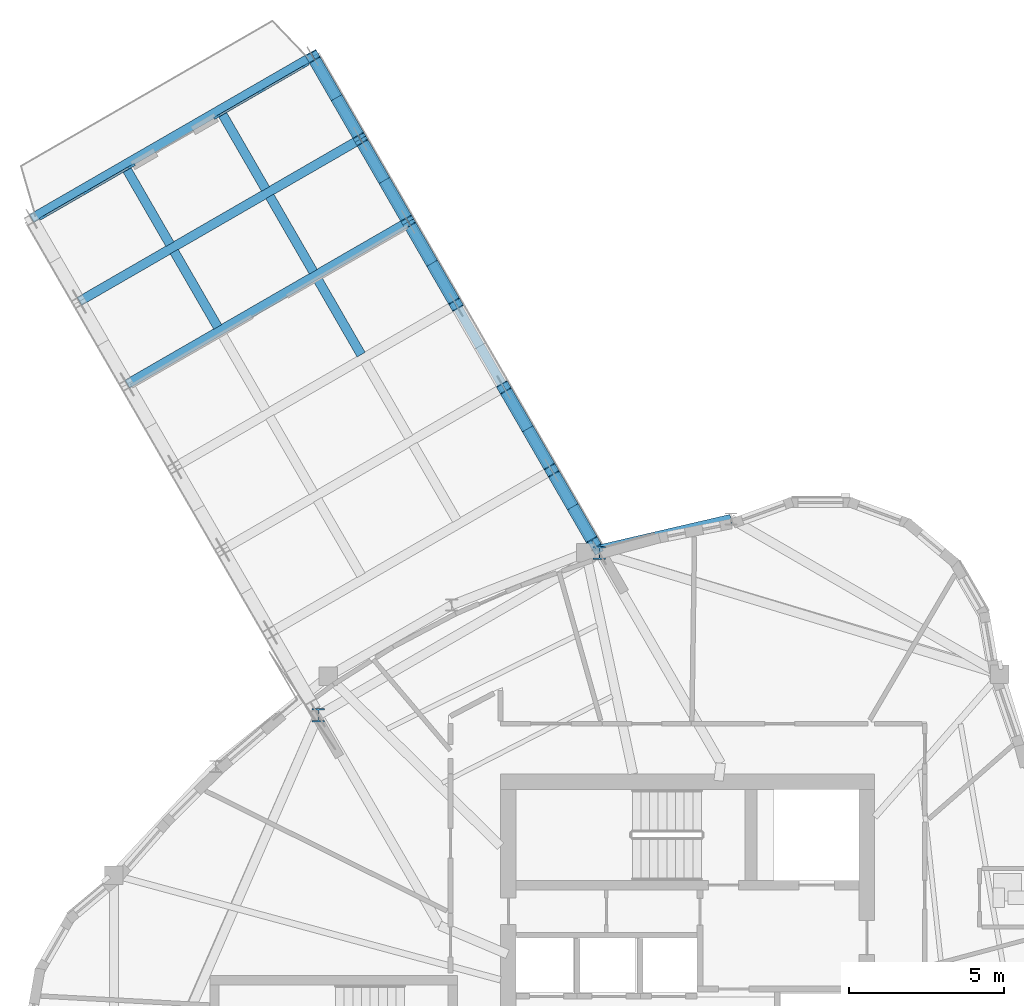
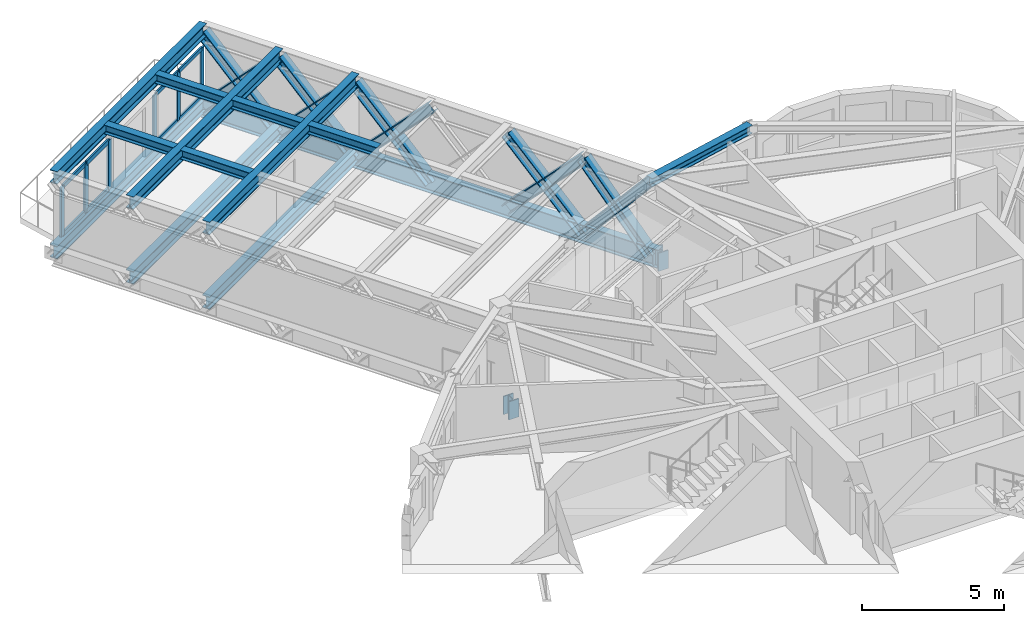
# One storey, part 3 of 14: 26 members, 13 beams, 2 elements without a shape of their own.
"""IFC4 building model written with IfcOpenShell, lengths in metres."""

from ifc_helpers import new_model, si_unit, direction, frame, origin, origin_2d, place, context, subcontext, project, spatial, rectangle, i_section, extrude, source, transform, mapped, material, layer, layer_set, material_profile, profile_set, type_object, element, aggregate, save


model = new_model("IFC4")

# Units and contexts
model_context = context("Model", 3, precision=1e-05, world=origin(), true_north=direction((0.0, 1.0)))
body_context = subcontext(model_context, "Body", "Model", "MODEL_VIEW")
ifc_project = project(units=[si_unit("LENGTHUNIT", "METRE"), si_unit("AREAUNIT", "SQUARE_METRE"), si_unit("VOLUMEUNIT", "CUBIC_METRE"), si_unit("PLANEANGLEUNIT", "RADIAN"), si_unit("MASSUNIT", "GRAM", prefix="KILO")], contexts=[model_context])

# Site, building, storey
site_placement = place(None, origin())
site = spatial("IfcSite", under=ifc_project, at=site_placement, CompositionType="ELEMENT")
building_placement = place(site_placement, origin())
building = spatial("IfcBuilding", under=site, at=building_placement, Name="Qafzar Sky-Pleat Residences", CompositionType="ELEMENT")
storey_placement = place(building_placement, frame((0.0, 0.0, 205.199951171875)))
storey = spatial("IfcBuildingStorey", under=building, at=storey_placement, Name="L61", CompositionType="ELEMENT", Elevation=205.199951171875)

# Members
ifc_material_1 = material(Name="Steel S460", Category="steel")
ifc_material_profile_1 = material_profile(ifc_material_1, i_section(OverallWidth=0.408935546875, OverallDepth=0.425048828125, WebThickness=0.030029296875, FlangeThickness=0.048095703125, FilletRadius=0.014892578125, at=origin_2d()), Name="HD 400x421")
ifc_profile_set_1 = profile_set([ifc_material_profile_1], Name="Steel S460")
member_type_1 = type_object("IfcMemberType", Name="MEM-SB-POST", PredefinedType="POST", material=ifc_profile_set_1)
shared_shape_1 = source(origin(), body_context, "Body", "SweptSolid", [
    extrude(i_section(OverallWidth=0.408935546875, OverallDepth=0.425048828125, WebThickness=0.030029296875, FlangeThickness=0.048095703125, FilletRadius=0.014892578125, at=origin_2d()), origin(), (0.0, 0.0, 1.0), 0.780029296875),
])
for number, where, z_axis, x_axis, name in (
    (1, (18.4033203125, 36.192138671875, -1.06494140625), (0.0, 0.0, 1.0), (1.0, 0.0, 0.0), "SB-5 Root Truss Post L0"),
    (2, (27.49658203125, 41.442138671875, -1.06494140625), (0.0, 0.0, 1.0), (1.0, 0.0, 0.0), "SB-5 Root Truss Post R0"),
):
    element("IfcMember", number, at=place(storey_placement, frame(where, z_axis=z_axis, x_axis=x_axis)), inside=storey, type_object=member_type_1, Name=name, PredefinedType="POST", context=body_context, shape_type="MappedRepresentation", body=[
        mapped(shared_shape_1, transform((0.0, 0.0, 0.0), x_axis=(1.0, 0.0, 0.0), y_axis=(0.0, 1.0, 0.0), z_axis=(0.0, 0.0, 1.0), scale=1.0)),
    ])

# Beams
ifc_material_2 = material(Name="Steel S355", Category="steel")
ifc_material_profile_2 = material_profile(ifc_material_2, i_section(OverallWidth=0.300048828125, OverallDepth=0.360107421875, WebThickness=0.012451171875, FlangeThickness=0.0224609375, FilletRadius=0.027099609375, at=origin_2d()), Name="HEB 360")
ifc_profile_set_2 = profile_set([ifc_material_profile_2], Name="Steel S355")
beam_type_1 = type_object("IfcBeamType", Name="BM-SPAN-HEB360", PredefinedType="SPANDREL", material=ifc_profile_set_2)
shared_shape_2 = source(origin(), body_context, "Body", "SweptSolid", [
    extrude(i_section(OverallWidth=0.300048828125, OverallDepth=0.360107421875, WebThickness=0.012451171875, FlangeThickness=0.0224609375, FilletRadius=0.027099609375, at=origin_2d()), origin(), (0.0, 0.0, 1.0), 4.8173828125),
])
beam_1_placement = place(storey_placement, frame((31.75244140625, 42.54541015625, 2.7529296875), z_axis=(-0.974014007378, -0.226487777666, 0.0), x_axis=(0.226487777666, -0.974014007378, 0.0)))
element("IfcBeam", 3, at=beam_1_placement, inside=storey, type_object=beam_type_1, Name="L61 Perimeter Spandrel Beam 14", PredefinedType="SPANDREL", context=body_context, shape_type="MappedRepresentation", body=[
    mapped(shared_shape_2, transform((0.0, 0.0, 0.0), x_axis=(1.0, 0.0, 0.0), y_axis=(0.0, 1.0, 0.0), z_axis=(0.0, 0.0, 1.0), scale=1.0)),
])
ifc_material_profile_3 = material_profile(ifc_material_1, i_section(OverallWidth=0.300048828125, OverallDepth=0.800048828125, WebThickness=0.017578125, FlangeThickness=0.032958984375, FilletRadius=0.030029296875, at=origin_2d()), Name="HEB 800")
ifc_profile_set_3 = profile_set([ifc_material_profile_3], Name="Steel S460")
beam_type_2 = type_object("IfcBeamType", Name="BM-CHORD-HEB800", PredefinedType="BEAM", material=ifc_profile_set_3)
shared_shape_3 = source(origin(), body_context, "Body", "SweptSolid", [
    extrude(i_section(OverallWidth=0.300048828125, OverallDepth=0.800048828125, WebThickness=0.017578125, FlangeThickness=0.032958984375, FilletRadius=0.030029296875, at=origin_2d()), origin(), (0.0, 0.0, 1.0), 18.549072265625),
])
beam_2_placement = place(storey_placement, frame((27.49658203125, 41.442138671875, -0.6669921875), z_axis=(-0.499995133251, 0.866028213585, 0.0), x_axis=(-0.866028213585, -0.499995133251, 0.0)))
element("IfcBeam", 4, at=beam_2_placement, inside=storey, type_object=beam_type_2, Name="L61 SB-5 Bottom Chord R1", PredefinedType="BEAM", context=body_context, shape_type="MappedRepresentation", body=[
    mapped(shared_shape_3, transform((0.0, 0.0, 0.0), x_axis=(1.0, 0.0, 0.0), y_axis=(0.0, 1.0, 0.0), z_axis=(0.0, 0.0, 1.0), scale=1.0)),
])

# Members
ifc_material_profile_4 = material_profile(ifc_material_1, i_section(OverallWidth=0.40087890625, OverallDepth=0.39892578125, WebThickness=0.02294921875, FlangeThickness=0.035888671875, FilletRadius=0.014892578125, at=origin_2d()), Name="HD 400x314")
ifc_profile_set_4 = profile_set([ifc_material_profile_4], Name="Steel S460")
member_type_2 = type_object("IfcMemberType", Name="MEM-SB-DIAG", PredefinedType="BRACE", material=ifc_profile_set_4)
shared_shape_4 = source(origin(), body_context, "Body", "SweptSolid", [
    extrude(i_section(OverallWidth=0.40087890625, OverallDepth=0.39892578125, WebThickness=0.02294921875, FlangeThickness=0.035888671875, FilletRadius=0.014892578125, at=origin_2d()), origin(), (0.0, 0.0, 1.0), 4.207275390625),
])
for number, where, z_axis, x_axis, name in (
    (5, (27.316650390625, 41.75390625, -0.6669921875), (-0.324617020075, 0.562247820433, 0.760592649646), (-0.866023343127, -0.500003569146, 0.0), "L61 SB-5 Truss Web Diagonal R1A"),
    (6, (27.316650390625, 41.75390625, 2.532958984375), (-0.324617020075, 0.562247820433, -0.760592649646), (-0.866023343127, -0.500003569146, 0.0), "L61 SB-5 Truss Web Diagonal R1B"),
):
    element("IfcMember", number, at=place(storey_placement, frame(where, z_axis=z_axis, x_axis=x_axis)), inside=storey, type_object=member_type_2, Name=name, PredefinedType="BRACE", context=body_context, shape_type="MappedRepresentation", body=[
        mapped(shared_shape_4, transform((0.0, 0.0, 0.0), x_axis=(1.0, 0.0, 0.0), y_axis=(0.0, 1.0, 0.0), z_axis=(0.0, 0.0, 1.0), scale=1.0)),
    ])
shared_shape_5 = source(origin(), body_context, "Body", "SweptSolid", [
    extrude(i_section(OverallWidth=0.40087890625, OverallDepth=0.39892578125, WebThickness=0.02294921875, FlangeThickness=0.035888671875, FilletRadius=0.014892578125, at=origin_2d()), origin(), (0.0, 0.0, 1.0), 4.449462890625),
])
for number, where, z_axis, x_axis, name in (
    (7, (25.950927734375, 44.119384765625, -0.6669921875), (-0.347428494676, 0.60174483593, 0.719163815496), (-0.866018578812, -0.500011821012, 0.0), "L61 SB-5 Truss Web Diagonal R2A"),
    (8, (25.950927734375, 44.119384765625, 2.532958984375), (-0.347428494676, 0.60174483593, -0.719163815496), (-0.866018578812, -0.500011821012, 0.0), "L61 SB-5 Truss Web Diagonal R2B"),
    (9, (21.313720703125, 52.1513671875, -0.6669921875), (-0.347439965749, 0.601709833292, 0.719187560182), (-0.865998834389, -0.50004601672, 0.0), "L61 SB-5 Truss Web Diagonal R5A"),
    (10, (21.313720703125, 52.1513671875, 2.532958984375), (-0.347439965749, 0.601709833292, -0.719187560182), (-0.865998834389, -0.50004601672, 0.0), "L61 SB-5 Truss Web Diagonal R5B"),
    (11, (19.767822265625, 54.82861328125, -0.6669921875), (-0.347380247624, 0.60175630638, 0.719177524184), (-0.866052771896, -0.499952594044, 0.0), "L61 SB-5 Truss Web Diagonal R6A"),
    (12, (19.767822265625, 54.82861328125, 2.532958984375), (-0.347380247624, 0.60175630638, -0.719177524184), (-0.866052771896, -0.499952594044, 0.0), "L61 SB-5 Truss Web Diagonal R6B"),
):
    element("IfcMember", number, at=place(storey_placement, frame(where, z_axis=z_axis, x_axis=x_axis)), inside=storey, type_object=member_type_2, Name=name, PredefinedType="BRACE", context=body_context, shape_type="MappedRepresentation", body=[
        mapped(shared_shape_5, transform((0.0, 0.0, 0.0), x_axis=(1.0, 0.0, 0.0), y_axis=(0.0, 1.0, 0.0), z_axis=(0.0, 0.0, 1.0), scale=1.0)),
    ])
shared_shape_6 = source(origin(), body_context, "Body", "SweptSolid", [
    extrude(i_section(OverallWidth=0.40087890625, OverallDepth=0.39892578125, WebThickness=0.02294921875, FlangeThickness=0.035888671875, FilletRadius=0.014892578125, at=origin_2d()), origin(), (0.0, 0.0, 1.0), 4.44921875),
])
for number, where, z_axis, x_axis, name in (
    (13, (22.859375, 49.47412109375, -0.6669921875), (-0.347391717542, 0.601721303832, 0.719201270229), (-0.86603303137, -0.499986788401, 0.0), "L61 SB-5 Truss Web Diagonal R4A"),
    (14, (22.859375, 49.47412109375, 2.532958984375), (-0.347391717542, 0.601721303832, -0.719201270229), (-0.86603303137, -0.499986788401, 0.0), "L61 SB-5 Truss Web Diagonal R4B"),
):
    element("IfcMember", number, at=place(storey_placement, frame(where, z_axis=z_axis, x_axis=x_axis)), inside=storey, type_object=member_type_2, Name=name, PredefinedType="BRACE", context=body_context, shape_type="MappedRepresentation", body=[
        mapped(shared_shape_6, transform((0.0, 0.0, 0.0), x_axis=(1.0, 0.0, 0.0), y_axis=(0.0, 1.0, 0.0), z_axis=(0.0, 0.0, 1.0), scale=1.0)),
    ])

# Beams
ifc_material_profile_5 = material_profile(ifc_material_2, i_section(OverallWidth=0.300048828125, OverallDepth=0.550048828125, WebThickness=0.014892578125, FlangeThickness=0.029052734375, FilletRadius=0.027099609375, at=origin_2d()), Name="HEB 550")
ifc_profile_set_5 = profile_set([ifc_material_profile_5], Name="Steel S355")
beam_type_3 = type_object("IfcBeamType", Name="BM-GIRD-HEB550", PredefinedType="BEAM", material=ifc_profile_set_5)
shared_shape_7 = source(origin(), body_context, "Body", "SweptSolid", [
    extrude(i_section(OverallWidth=0.300048828125, OverallDepth=0.550048828125, WebThickness=0.014892578125, FlangeThickness=0.029052734375, FilletRadius=0.027099609375, at=origin_2d()), origin(), (0.0, 0.0, 1.0), 10.5),
])
for number, where, z_axis, x_axis, name in (
    (15, (12.220458984375, 46.9013671875, 2.657958984375), (0.866025284237, 0.500000207062, 0.0), (-0.500000207062, 0.866025284237, 0.0), "L61 SB-5 Transverse Girder 4"),
    (16, (12.220458984375, 46.9013671875, -0.5419921875), (0.866025284237, 0.500000207062, 0.0), (-0.500000207062, 0.866025284237, 0.0), "L61 SB-5 Bottom Transverse Girder 4"),
    (17, (9.12890625, 52.256103515625, 2.657958984375), (0.866025284237, 0.500000207062, 0.0), (-0.500000207062, 0.866025284237, 0.0), "L61 SB-5 Transverse Girder 6"),
    (18, (9.12890625, 52.256103515625, -0.5419921875), (0.866025284237, 0.500000207062, 0.0), (-0.500000207062, 0.866025284237, 0.0), "L61 SB-5 Bottom Transverse Girder 6"),
):
    element("IfcBeam", number, at=place(storey_placement, frame(where, z_axis=z_axis, x_axis=x_axis)), inside=storey, type_object=beam_type_3, Name=name, PredefinedType="BEAM", context=body_context, shape_type="MappedRepresentation", body=[
        mapped(shared_shape_7, transform((0.0, 0.0, 0.0), x_axis=(1.0, 0.0, 0.0), y_axis=(0.0, 1.0, 0.0), z_axis=(0.0, 0.0, 1.0), scale=1.0)),
    ])
shared_shape_8 = source(origin(), body_context, "Body", "SweptSolid", [
    extrude(i_section(OverallWidth=0.300048828125, OverallDepth=0.550048828125, WebThickness=0.014892578125, FlangeThickness=0.029052734375, FilletRadius=0.027099609375, at=origin_2d()), origin(), (0.0, 0.0, 1.0), 10.499755859375),
])
for number, where, z_axis, x_axis, name in (
    (19, (10.6748046875, 49.57861328125, 2.657958984375), (0.866019471182, 0.500010275428, 0.0), (-0.500010275428, 0.866019471182, 0.0), "L61 SB-5 Transverse Girder 5"),
    (20, (10.6748046875, 49.57861328125, -0.5419921875), (0.866019471182, 0.500010275428, 0.0), (-0.500010275428, 0.866019471182, 0.0), "L61 SB-5 Bottom Transverse Girder 5"),
):
    element("IfcBeam", number, at=place(storey_placement, frame(where, z_axis=z_axis, x_axis=x_axis)), inside=storey, type_object=beam_type_3, Name=name, PredefinedType="BEAM", context=body_context, shape_type="MappedRepresentation", body=[
        mapped(shared_shape_8, transform((0.0, 0.0, 0.0), x_axis=(1.0, 0.0, 0.0), y_axis=(0.0, 1.0, 0.0), z_axis=(0.0, 0.0, 1.0), scale=1.0)),
    ])
ifc_material_profile_6 = material_profile(ifc_material_2, i_section(OverallWidth=0.300048828125, OverallDepth=0.389892578125, WebThickness=0.010986328125, FlangeThickness=0.01904296875, FilletRadius=0.027099609375, at=origin_2d()), Name="HEA 400")
ifc_profile_set_6 = profile_set([ifc_material_profile_6], Name="Steel S355")
beam_type_4 = type_object("IfcBeamType", Name="BM-SBJ-HEA400", PredefinedType="JOIST", material=ifc_profile_set_6)
shared_shape_9 = source(origin(), body_context, "Body", "SweptSolid", [
    extrude(i_section(OverallWidth=0.300048828125, OverallDepth=0.389892578125, WebThickness=0.010986328125, FlangeThickness=0.01904296875, FilletRadius=0.027099609375, at=origin_2d()), origin(), (0.0, 0.0, 1.0), 2.821533203125),
])
for number, where, z_axis, x_axis, name in (
    (21, (19.791015625, 47.8583984375, 2.738037109375), (-0.499954647489, 0.866051586486, 0.0), (-0.866051586486, -0.499954647489, 0.0), "L61 SB-5 Sky-Bar Secondary Deck Joist 4.1"),
    (22, (16.69970703125, 53.213134765625, 2.738037109375), (-0.500057011773, 0.86599248552, 0.0), (-0.86599248552, -0.500057011773, 0.0), "L61 SB-5 Sky-Bar Secondary Deck Joist 6.1"),
    (23, (13.60791015625, 51.427978515625, 2.738037109375), (-0.499954647489, 0.866051586486, 0.0), (-0.866051586486, -0.499954647489, 0.0), "L61 SB-5 Sky-Bar Secondary Deck Joist 6.2"),
):
    element("IfcBeam", number, at=place(storey_placement, frame(where, z_axis=z_axis, x_axis=x_axis)), inside=storey, type_object=beam_type_4, Name=name, PredefinedType="JOIST", context=body_context, shape_type="MappedRepresentation", body=[
        mapped(shared_shape_9, transform((0.0, 0.0, 0.0), x_axis=(1.0, 0.0, 0.0), y_axis=(0.0, 1.0, 0.0), z_axis=(0.0, 0.0, 1.0), scale=1.0)),
    ])
shared_shape_10 = source(origin(), body_context, "Body", "SweptSolid", [
    extrude(i_section(OverallWidth=0.300048828125, OverallDepth=0.389892578125, WebThickness=0.010986328125, FlangeThickness=0.01904296875, FilletRadius=0.027099609375, at=origin_2d()), origin(), (0.0, 0.0, 1.0), 2.82177734375),
])
beam_3_placement = place(storey_placement, frame((15.15380859375, 48.750732421875, 2.738037109375), z_axis=(-0.500019542665, 0.866014120528, 0.0), x_axis=(-0.866014120528, -0.500019542665, 0.0)))
element("IfcBeam", 24, at=beam_3_placement, inside=storey, type_object=beam_type_4, Name="L61 SB-5 Sky-Bar Secondary Deck Joist 5.2", PredefinedType="JOIST", context=body_context, shape_type="MappedRepresentation", body=[
    mapped(shared_shape_10, transform((0.0, 0.0, 0.0), x_axis=(1.0, 0.0, 0.0), y_axis=(0.0, 1.0, 0.0), z_axis=(0.0, 0.0, 1.0), scale=1.0)),
])
shared_shape_11 = source(origin(), body_context, "Body", "SweptSolid", [
    extrude(i_section(OverallWidth=0.300048828125, OverallDepth=0.389892578125, WebThickness=0.010986328125, FlangeThickness=0.01904296875, FilletRadius=0.027099609375, at=origin_2d()), origin(), (0.0, 0.0, 1.0), 2.8212890625),
])
beam_4_placement = place(storey_placement, frame((18.245361328125, 50.535888671875, 2.738037109375), z_axis=(-0.499992114976, 0.866029956157, 0.0), x_axis=(-0.866029956157, -0.499992114976, 0.0)))
element("IfcBeam", 25, at=beam_4_placement, inside=storey, type_object=beam_type_4, Name="L61 SB-5 Sky-Bar Secondary Deck Joist 5.1", PredefinedType="JOIST", context=body_context, shape_type="MappedRepresentation", body=[
    mapped(shared_shape_11, transform((0.0, 0.0, 0.0), x_axis=(1.0, 0.0, 0.0), y_axis=(0.0, 1.0, 0.0), z_axis=(0.0, 0.0, 1.0), scale=1.0)),
])

# Curtain wall, members
ifc_material_3 = material(Name="Anodised bronze aluminium framing", Category="aluminium")
ifc_layer_1 = layer(ifc_material_3, 0.239990234375)
ifc_layer_set_1 = layer_set([ifc_layer_1], Name="Anodised bronze aluminium framing")
curtain_wall_type_1 = type_object("IfcCurtainWallType", Name="CW-SYS-02", PredefinedType="NOTDEFINED", material=ifc_layer_set_1)
curtain_wall_1_placement = place(storey_placement, origin())
curtain_wall_1 = element("IfcCurtainWall", 26, at=curtain_wall_1_placement, inside=storey, type_object=curtain_wall_type_1, Name="L61 CW-02 Curtain Wall CW-L61-SB-5-PROW-L", PredefinedType="NOTDEFINED")
ifc_material_4 = material(Name="Anodised bronze aluminium", Category="aluminium")
ifc_material_profile_7 = material_profile(ifc_material_4, rectangle(XDim=0.074951171875, YDim=0.239990234375, at=origin_2d()), Name="ALU MULLION 75x240")
ifc_profile_set_7 = profile_set([ifc_material_profile_7], Name="Anodised bronze aluminium")
member_type_3 = type_object("IfcMemberType", Name="CWM-02", PredefinedType="MULLION", material=ifc_profile_set_7)
shared_shape_12 = source(origin(), body_context, "Body", "SweptSolid", [
    extrude(rectangle(XDim=0.074951171875, YDim=0.239990234375, at=origin_2d()), origin(), (0.0, 0.0, 1.0), 2.114990234375),
])
member_1_placement = place(storey_placement, frame((9.5048828125, 52.2998046875, 0.0), z_axis=(0.0, 0.0, 1.0), x_axis=(-0.499995626969, 0.866027928541, 0.0)))
member_1 = element("IfcMember", 27, at=member_1_placement, type_object=member_type_3, Name="CW-02 mullion 1", PredefinedType="MULLION", context=body_context, shape_type="MappedRepresentation", body=[
    mapped(shared_shape_12, transform((0.0, 0.0, 0.0), x_axis=(1.0, 0.0, 0.0), y_axis=(0.0, 1.0, 0.0), z_axis=(0.0, 0.0, 1.0), scale=1.0)),
])
member_2_placement = place(storey_placement, frame((10.93603515625, 53.126220703125, 0.0), z_axis=(0.0, 0.0, 1.0), x_axis=(-0.499995626969, 0.866027928541, 0.0)))
member_2 = element("IfcMember", 28, at=member_2_placement, type_object=member_type_3, Name="CW-02 mullion 2", PredefinedType="MULLION", context=body_context, shape_type="MappedRepresentation", body=[
    mapped(shared_shape_12, transform((0.0, 0.0, 0.0), x_axis=(1.0, 0.0, 0.0), y_axis=(0.0, 1.0, 0.0), z_axis=(0.0, 0.0, 1.0), scale=1.0)),
])
member_3_placement = place(storey_placement, frame((12.3671875, 53.952392578125, 0.0), z_axis=(0.0, 0.0, 1.0), x_axis=(-0.499995626969, 0.866027928541, 0.0)))
member_3 = element("IfcMember", 29, at=member_3_placement, type_object=member_type_3, Name="CW-02 mullion 3", PredefinedType="MULLION", context=body_context, shape_type="MappedRepresentation", body=[
    mapped(shared_shape_12, transform((0.0, 0.0, 0.0), x_axis=(1.0, 0.0, 0.0), y_axis=(0.0, 1.0, 0.0), z_axis=(0.0, 0.0, 1.0), scale=1.0)),
])

ifc_layer_2 = layer(ifc_material_3, 0.219970703125)
ifc_layer_set_2 = layer_set([ifc_layer_2], Name="Anodised bronze aluminium framing")
curtain_wall_type_2 = type_object("IfcCurtainWallType", Name="CW-SYS-03", PredefinedType="NOTDEFINED", material=ifc_layer_set_2)
curtain_wall_2_placement = place(storey_placement, origin())
curtain_wall_2 = element("IfcCurtainWall", 30, at=curtain_wall_2_placement, inside=storey, type_object=curtain_wall_type_2, Name="L61 CW-03 Curtain Wall CW-L61-SB-5-PROW-R", PredefinedType="NOTDEFINED")
ifc_material_profile_8 = material_profile(ifc_material_4, rectangle(XDim=0.070068359375, YDim=0.219970703125, at=origin_2d()), Name="ALU MULLION 70x220")
ifc_profile_set_8 = profile_set([ifc_material_profile_8], Name="Anodised bronze aluminium")
member_type_4 = type_object("IfcMemberType", Name="CWM-03", PredefinedType="MULLION", material=ifc_profile_set_8)
shared_shape_13 = source(origin(), body_context, "Body", "SweptSolid", [
    extrude(rectangle(XDim=0.070068359375, YDim=0.219970703125, at=origin_2d()), origin(), (0.0, 0.0, 1.0), 2.114990234375),
])
member_4_placement = place(storey_placement, frame((15.1318359375, 55.548583984375, 0.0), z_axis=(0.0, 0.0, 1.0), x_axis=(-0.499995626969, 0.866027928541, 0.0)))
member_4 = element("IfcMember", 31, at=member_4_placement, type_object=member_type_4, Name="CW-03 mullion 1", PredefinedType="MULLION", context=body_context, shape_type="MappedRepresentation", body=[
    mapped(shared_shape_13, transform((0.0, 0.0, 0.0), x_axis=(1.0, 0.0, 0.0), y_axis=(0.0, 1.0, 0.0), z_axis=(0.0, 0.0, 1.0), scale=1.0)),
])
member_5_placement = place(storey_placement, frame((16.565185546875, 56.376220703125, 0.0), z_axis=(0.0, 0.0, 1.0), x_axis=(-0.499995626969, 0.866027928541, 0.0)))
member_5 = element("IfcMember", 32, at=member_5_placement, type_object=member_type_4, Name="CW-03 mullion 2", PredefinedType="MULLION", context=body_context, shape_type="MappedRepresentation", body=[
    mapped(shared_shape_13, transform((0.0, 0.0, 0.0), x_axis=(1.0, 0.0, 0.0), y_axis=(0.0, 1.0, 0.0), z_axis=(0.0, 0.0, 1.0), scale=1.0)),
])
member_6_placement = place(storey_placement, frame((17.998291015625, 57.20361328125, 0.0), z_axis=(0.0, 0.0, 1.0), x_axis=(-0.499995626969, 0.866027928541, 0.0)))
member_6 = element("IfcMember", 33, at=member_6_placement, type_object=member_type_4, Name="CW-03 mullion 3", PredefinedType="MULLION", context=body_context, shape_type="MappedRepresentation", body=[
    mapped(shared_shape_13, transform((0.0, 0.0, 0.0), x_axis=(1.0, 0.0, 0.0), y_axis=(0.0, 1.0, 0.0), z_axis=(0.0, 0.0, 1.0), scale=1.0)),
])

# Member
ifc_material_profile_9 = material_profile(ifc_material_4, rectangle(XDim=0.074951171875, YDim=0.179931640625, at=origin_2d()), Name="ALU TRANSOM 75x180")
ifc_profile_set_9 = profile_set([ifc_material_profile_9], Name="Anodised bronze aluminium")
member_type_5 = type_object("IfcMemberType", Name="CWT-02", PredefinedType="USERDEFINED", material=ifc_profile_set_9)
shared_shape_14 = source(origin(), body_context, "Body", "SweptSolid", [
    extrude(rectangle(XDim=0.074951171875, YDim=0.179931640625, at=origin_2d()), origin(), (0.0, 0.0, 1.0), 1.57763671875),
])
member_7_placement = place(storey_placement, frame((9.537353515625, 52.318603515625, 0.03759765625), z_axis=(0.866015493058, 0.500017165488, 0.0), x_axis=(-0.500017165488, 0.866015493058, 0.0)))
member_7 = element("IfcMember", 34, at=member_7_placement, type_object=member_type_5, Name="CW-02 transom 1.1", ObjectType="TRANSOM", PredefinedType="USERDEFINED", context=body_context, shape_type="MappedRepresentation", body=[
    mapped(shared_shape_14, transform((0.0, 0.0, 0.0), x_axis=(1.0, 0.0, 0.0), y_axis=(0.0, 1.0, 0.0), z_axis=(0.0, 0.0, 1.0), scale=1.0)),
])

member_8_placement = place(storey_placement, frame((9.537353515625, 52.318603515625, 2.07763671875), z_axis=(0.866015493058, 0.500017165488, 0.0), x_axis=(-0.500017165488, 0.866015493058, 0.0)))
member_8 = element("IfcMember", 35, at=member_8_placement, type_object=member_type_5, Name="CW-02 transom 1.2", ObjectType="TRANSOM", PredefinedType="USERDEFINED", context=body_context, shape_type="MappedRepresentation", body=[
    mapped(shared_shape_14, transform((0.0, 0.0, 0.0), x_axis=(1.0, 0.0, 0.0), y_axis=(0.0, 1.0, 0.0), z_axis=(0.0, 0.0, 1.0), scale=1.0)),
])

member_9_placement = place(storey_placement, frame((10.968505859375, 53.144775390625, 0.03759765625), z_axis=(0.866015493058, 0.500017165488, 0.0), x_axis=(-0.500017165488, 0.866015493058, 0.0)))
member_9 = element("IfcMember", 36, at=member_9_placement, type_object=member_type_5, Name="CW-02 transom 2.1", ObjectType="TRANSOM", PredefinedType="USERDEFINED", context=body_context, shape_type="MappedRepresentation", body=[
    mapped(shared_shape_14, transform((0.0, 0.0, 0.0), x_axis=(1.0, 0.0, 0.0), y_axis=(0.0, 1.0, 0.0), z_axis=(0.0, 0.0, 1.0), scale=1.0)),
])

member_10_placement = place(storey_placement, frame((10.968505859375, 53.144775390625, 2.07763671875), z_axis=(0.866015493058, 0.500017165488, 0.0), x_axis=(-0.500017165488, 0.866015493058, 0.0)))
member_10 = element("IfcMember", 37, at=member_10_placement, type_object=member_type_5, Name="CW-02 transom 2.2", ObjectType="TRANSOM", PredefinedType="USERDEFINED", context=body_context, shape_type="MappedRepresentation", body=[
    mapped(shared_shape_14, transform((0.0, 0.0, 0.0), x_axis=(1.0, 0.0, 0.0), y_axis=(0.0, 1.0, 0.0), z_axis=(0.0, 0.0, 1.0), scale=1.0)),
])

aggregate(curtain_wall_1, [member_1, member_2, member_3, member_7, member_8, member_9, member_10])

ifc_material_profile_10 = material_profile(ifc_material_4, rectangle(XDim=0.070068359375, YDim=0.1650390625, at=origin_2d()), Name="ALU TRANSOM 70x165")
ifc_profile_set_10 = profile_set([ifc_material_profile_10], Name="Anodised bronze aluminium")
member_type_6 = type_object("IfcMemberType", Name="CWT-03", PredefinedType="USERDEFINED", material=ifc_profile_set_10)
shared_shape_15 = source(origin(), body_context, "Body", "SweptSolid", [
    extrude(rectangle(XDim=0.070068359375, YDim=0.1650390625, at=origin_2d()), origin(), (0.0, 0.0, 1.0), 1.5849609375),
])
member_11_placement = place(storey_placement, frame((15.162109375, 55.566162109375, 0.03515625), z_axis=(0.866016279763, 0.500015802937, 0.0), x_axis=(-0.500015802937, 0.866016279763, 0.0)))
member_11 = element("IfcMember", 38, at=member_11_placement, type_object=member_type_6, Name="CW-03 transom 1.1", ObjectType="TRANSOM", PredefinedType="USERDEFINED", context=body_context, shape_type="MappedRepresentation", body=[
    mapped(shared_shape_15, transform((0.0, 0.0, 0.0), x_axis=(1.0, 0.0, 0.0), y_axis=(0.0, 1.0, 0.0), z_axis=(0.0, 0.0, 1.0), scale=1.0)),
])

member_12_placement = place(storey_placement, frame((15.162109375, 55.566162109375, 2.080078125), z_axis=(0.866016279763, 0.500015802937, 0.0), x_axis=(-0.500015802937, 0.866016279763, 0.0)))
member_12 = element("IfcMember", 39, at=member_12_placement, type_object=member_type_6, Name="CW-03 transom 1.2", ObjectType="TRANSOM", PredefinedType="USERDEFINED", context=body_context, shape_type="MappedRepresentation", body=[
    mapped(shared_shape_15, transform((0.0, 0.0, 0.0), x_axis=(1.0, 0.0, 0.0), y_axis=(0.0, 1.0, 0.0), z_axis=(0.0, 0.0, 1.0), scale=1.0)),
])

member_13_placement = place(storey_placement, frame((16.595458984375, 56.3935546875, 0.03515625), z_axis=(0.866016279763, 0.500015802937, 0.0), x_axis=(-0.500015802937, 0.866016279763, 0.0)))
member_13 = element("IfcMember", 40, at=member_13_placement, type_object=member_type_6, Name="CW-03 transom 2.1", ObjectType="TRANSOM", PredefinedType="USERDEFINED", context=body_context, shape_type="MappedRepresentation", body=[
    mapped(shared_shape_15, transform((0.0, 0.0, 0.0), x_axis=(1.0, 0.0, 0.0), y_axis=(0.0, 1.0, 0.0), z_axis=(0.0, 0.0, 1.0), scale=1.0)),
])

member_14_placement = place(storey_placement, frame((16.595458984375, 56.3935546875, 2.080078125), z_axis=(0.866016279763, 0.500015802937, 0.0), x_axis=(-0.500015802937, 0.866016279763, 0.0)))
member_14 = element("IfcMember", 41, at=member_14_placement, type_object=member_type_6, Name="CW-03 transom 2.2", ObjectType="TRANSOM", PredefinedType="USERDEFINED", context=body_context, shape_type="MappedRepresentation", body=[
    mapped(shared_shape_15, transform((0.0, 0.0, 0.0), x_axis=(1.0, 0.0, 0.0), y_axis=(0.0, 1.0, 0.0), z_axis=(0.0, 0.0, 1.0), scale=1.0)),
])

aggregate(curtain_wall_2, [member_4, member_5, member_6, member_11, member_12, member_13, member_14])

save(model, "model.ifc")
